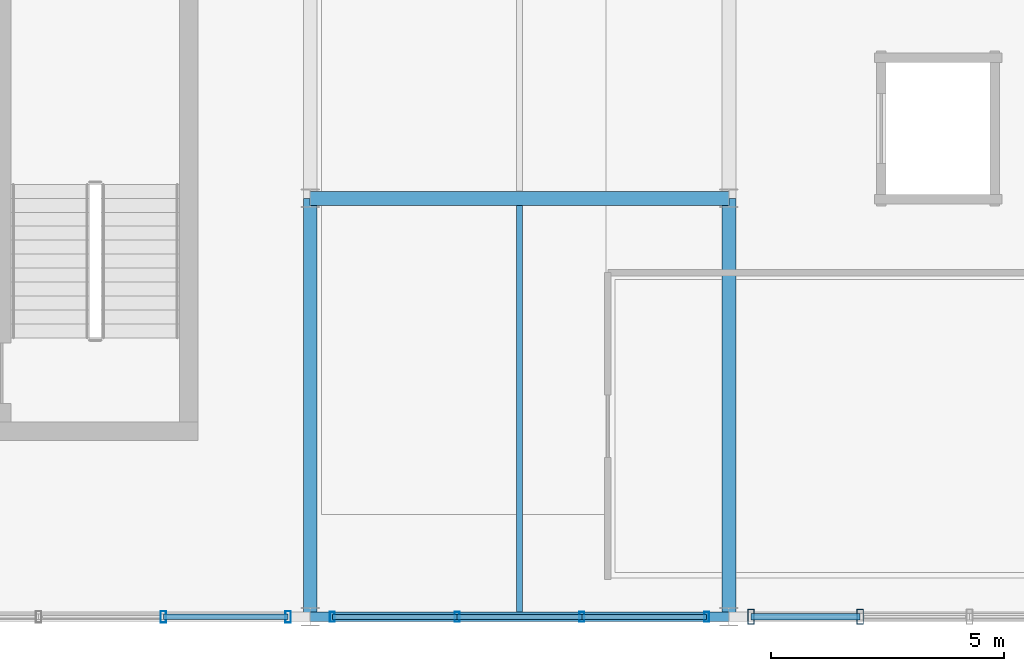
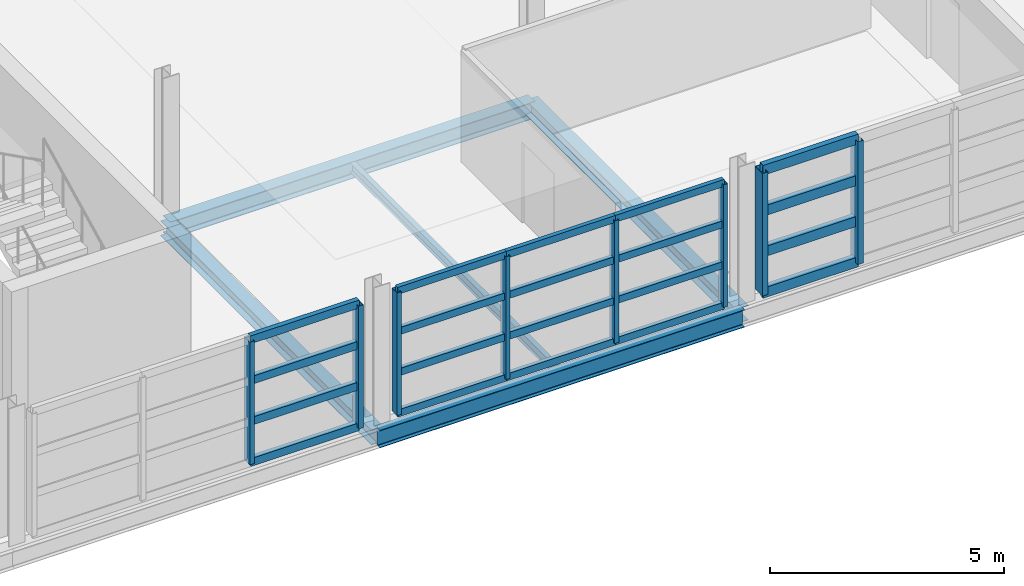
# One storey, part 62 of 116: 28 members, 5 beams, 3 elements without a shape of their own.
"""IFC4 building model written with IfcOpenShell, lengths in metres."""

from ifc_helpers import new_model, si_unit, direction, frame, origin, origin_2d, place, context, subcontext, project, spatial, hollow_rectangle, i_section, extrude, material, material_profile, profile_set, type_object, element, aggregate, save


model = new_model("IFC4")

# Units and contexts
model_context = context("Model", 3, precision=1e-05, world=origin(), true_north=direction((0.0, 1.0)))
body_context = subcontext(model_context, "Body", "Model", "MODEL_VIEW")
ifc_project = project(units=[si_unit("LENGTHUNIT", "METRE"), si_unit("AREAUNIT", "SQUARE_METRE"), si_unit("VOLUMEUNIT", "CUBIC_METRE"), si_unit("PLANEANGLEUNIT", "RADIAN"), si_unit("MASSUNIT", "GRAM", prefix="KILO")], contexts=[model_context])

# Site, building, storey
site_placement = place(None, origin())
site = spatial("IfcSite", under=ifc_project, at=site_placement, CompositionType="ELEMENT")
building_placement = place(site_placement, origin())
building = spatial("IfcBuilding", under=site, at=building_placement, Name="Chuanluo Vaults Station", CompositionType="ELEMENT")
storey_placement = place(building_placement, frame((0.0, 0.0, 10.800048828125)))
storey = spatial("IfcBuildingStorey", under=building, at=storey_placement, Name="L02", CompositionType="ELEMENT", Elevation=10.800048828125)

# Beams
ifc_material_1 = material(Name="Steel Q355C", Category="steel")
ifc_material_profile_1 = material_profile(ifc_material_1, i_section(OverallWidth=0.300048828125, OverallDepth=0.389892578125, WebThickness=0.010009765625, FlangeThickness=0.01611328125, FilletRadius=0.02001953125, at=origin_2d()))
ifc_profile_set_1 = profile_set([ifc_material_profile_1], Name="Steel Q355C")
beam_type_1 = type_object("IfcBeamType", Name="BM-GRD-400", PredefinedType="BEAM", material=ifc_profile_set_1)
for number, where, z_axis, x_axis, name in (
    (1, (163.0, 0.0, -0.43505859375), (0.0, 1.0, 0.0), (-1.0, 0.0, 0.0), "Floor girder BM:GY:L02:0663"),
    (2, (172.0, 0.0, -0.43505859375), (0.0, 1.0, 0.0), (-1.0, 0.0, 0.0), "Floor girder BM:GY:L02:0675"),
):
    element("IfcBeam", number, at=place(storey_placement, frame(where, z_axis=z_axis, x_axis=x_axis)), inside=storey, type_object=beam_type_1, Name=name, PredefinedType="BEAM", context=body_context, shape_type="SweptSolid", body=[
        extrude(i_section(OverallWidth=0.300048828125, OverallDepth=0.389892578125, WebThickness=0.010009765625, FlangeThickness=0.01611328125, FilletRadius=0.02001953125, at=origin_2d()), origin(), (0.0, 0.0, 1.0), 9.0),
    ])
ifc_material_2 = material(Name="Steel Q355C", Category="steel")
ifc_material_profile_2 = material_profile(ifc_material_2, i_section(OverallWidth=0.300048828125, OverallDepth=0.43994140625, WebThickness=0.010986328125, FlangeThickness=0.01806640625, FilletRadius=0.02001953125, at=origin_2d()))
ifc_profile_set_2 = profile_set([ifc_material_profile_2], Name="Steel Q355C")
beam_type_2 = type_object("IfcBeamType", Name="BM-GRD-450", PredefinedType="USERDEFINED", material=ifc_profile_set_2)
beam_1_placement = place(storey_placement, frame((163.0, 9.0, -0.4599609375), z_axis=(1.0, 0.0, 0.0), x_axis=(0.0, 1.0, 0.0)))
element("IfcBeam", 3, at=beam_1_placement, inside=storey, type_object=beam_type_2, Name="Floor girder BM:GX:L02:0543", ObjectType="GIRDER", PredefinedType="USERDEFINED", context=body_context, shape_type="SweptSolid", body=[
    extrude(i_section(OverallWidth=0.300048828125, OverallDepth=0.43994140625, WebThickness=0.010986328125, FlangeThickness=0.01806640625, FilletRadius=0.02001953125, at=origin_2d()), origin(), (0.0, 0.0, 1.0), 9.0),
])
ifc_material_3 = material(Name="Steel Q355C", Category="steel")
ifc_material_profile_3 = material_profile(ifc_material_3, i_section(OverallWidth=0.125, OverallDepth=0.25, WebThickness=0.006103515625, FlangeThickness=0.009033203125, FilletRadius=0.011962890625, at=origin_2d()))
ifc_profile_set_3 = profile_set([ifc_material_profile_3], Name="Steel Q355C")
beam_type_3 = type_object("IfcBeamType", Name="BM-SEC-250", PredefinedType="JOIST", material=ifc_profile_set_3)
beam_2_placement = place(storey_placement, frame((167.5, 0.107421875, -0.364990234375), z_axis=(0.0, 1.0, 0.0), x_axis=(-1.0, 0.0, 0.0)))
element("IfcBeam", 4, at=beam_2_placement, inside=storey, type_object=beam_type_3, Name="Composite secondary joist 0217", PredefinedType="JOIST", context=body_context, shape_type="SweptSolid", body=[
    extrude(i_section(OverallWidth=0.125, OverallDepth=0.25, WebThickness=0.006103515625, FlangeThickness=0.009033203125, FilletRadius=0.011962890625, at=origin_2d()), origin(), (0.0, 0.0, 1.0), 8.737548828125),
])
ifc_material_4 = material(Name="Steel Q355C", Category="steel")
ifc_material_profile_4 = material_profile(ifc_material_4, i_section(OverallWidth=0.205078125, OverallDepth=0.4599609375, WebThickness=0.009033203125, FlangeThickness=0.013916015625, FilletRadius=0.01611328125, at=origin_2d()))
ifc_profile_set_4 = profile_set([ifc_material_profile_4], Name="Steel Q355C")
beam_type_4 = type_object("IfcBeamType", Name="BM-SPN-450", PredefinedType="SPANDREL", material=ifc_profile_set_4)
beam_3_placement = place(storey_placement, frame((163.0, 0.0, -0.469970703125), z_axis=(1.0, 0.0, 0.0), x_axis=(0.0, 1.0, 0.0)))
element("IfcBeam", 5, at=beam_3_placement, inside=storey, type_object=beam_type_4, Name="Floor girder BM:GX:L02:0538", PredefinedType="SPANDREL", context=body_context, shape_type="SweptSolid", body=[
    extrude(i_section(OverallWidth=0.205078125, OverallDepth=0.4599609375, WebThickness=0.009033203125, FlangeThickness=0.013916015625, FilletRadius=0.01611328125, at=origin_2d()), origin(), (0.0, 0.0, 1.0), 9.0),
])

# Curtain wall, members
ifc_material_5 = material(Name="Anodised aluminium 6063-T6", Category="aluminium")
curtain_wall_type_1 = type_object("IfcCurtainWallType", Name="CW-SYS-28", PredefinedType="NOTDEFINED", material=ifc_material_5)
curtain_wall_1_placement = place(storey_placement, origin())
curtain_wall_1 = element("IfcCurtainWall", 6, at=curtain_wall_1_placement, inside=storey, type_object=curtain_wall_type_1, Name="Retail pavilion L02 facade CW", PredefinedType="NOTDEFINED")
ifc_material_6 = material(Name="Anodised aluminium 6063-T6", Category="aluminium")
ifc_material_profile_5 = material_profile(ifc_material_6, hollow_rectangle(XDim=0.10498046875, YDim=0.219970703125, WallThickness=0.006103515625, at=origin_2d()))
ifc_profile_set_5 = profile_set([ifc_material_profile_5], Name="Anodised aluminium 6063-T6")
member_type_1 = type_object("IfcMemberType", Name="CWM-140", PredefinedType="MULLION", material=ifc_profile_set_5)
member_1_placement = place(storey_placement, frame((171.52490234375, 0.0, 0.0), z_axis=(0.0, 0.0, 1.0), x_axis=(-1.0, 0.0, 0.0)))
member_1 = element("IfcMember", 7, at=member_1_placement, type_object=member_type_1, Name="Retail pavilion L02 facade CW mullion 1", PredefinedType="MULLION", context=body_context, shape_type="SweptSolid", body=[
    extrude(hollow_rectangle(XDim=0.10498046875, YDim=0.219970703125, WallThickness=0.006103515625, at=origin_2d()), origin(), (0.0, 0.0, 1.0), 3.199951171875),
])
member_2_placement = place(storey_placement, frame((168.841796875, 0.0, 0.0), z_axis=(0.0, 0.0, 1.0), x_axis=(-1.0, 0.0, 0.0)))
member_2 = element("IfcMember", 8, at=member_2_placement, type_object=member_type_1, Name="Retail pavilion L02 facade CW mullion 2", PredefinedType="MULLION", context=body_context, shape_type="SweptSolid", body=[
    extrude(hollow_rectangle(XDim=0.10498046875, YDim=0.219970703125, WallThickness=0.006103515625, at=origin_2d()), origin(), (0.0, 0.0, 1.0), 3.199951171875),
])
member_3_placement = place(storey_placement, frame((166.158203125, 0.0, 0.0), z_axis=(0.0, 0.0, 1.0), x_axis=(-1.0, 0.0, 0.0)))
member_3 = element("IfcMember", 9, at=member_3_placement, type_object=member_type_1, Name="Retail pavilion L02 facade CW mullion 3", PredefinedType="MULLION", context=body_context, shape_type="SweptSolid", body=[
    extrude(hollow_rectangle(XDim=0.10498046875, YDim=0.219970703125, WallThickness=0.006103515625, at=origin_2d()), origin(), (0.0, 0.0, 1.0), 3.199951171875),
])
member_4_placement = place(storey_placement, frame((163.47509765625, 0.0, 0.0), z_axis=(0.0, 0.0, 1.0), x_axis=(-1.0, 0.0, 0.0)))
member_4 = element("IfcMember", 10, at=member_4_placement, type_object=member_type_1, Name="Retail pavilion L02 facade CW mullion 4", PredefinedType="MULLION", context=body_context, shape_type="SweptSolid", body=[
    extrude(hollow_rectangle(XDim=0.10498046875, YDim=0.219970703125, WallThickness=0.006103515625, at=origin_2d()), origin(), (0.0, 0.0, 1.0), 3.199951171875),
])

ifc_material_7 = material(Name="Anodised aluminium 6063-T6", Category="aluminium")
curtain_wall_type_2 = type_object("IfcCurtainWallType", Name="CW-SYS-27", PredefinedType="NOTDEFINED", material=ifc_material_7)
curtain_wall_2_placement = place(storey_placement, origin())
curtain_wall_2 = element("IfcCurtainWall", 11, at=curtain_wall_2_placement, inside=storey, type_object=curtain_wall_type_2, Name="Retail pavilion L02 facade CW", PredefinedType="NOTDEFINED")
ifc_material_8 = material(Name="Anodised aluminium 6063-T6", Category="aluminium")
ifc_material_profile_6 = material_profile(ifc_material_8, hollow_rectangle(XDim=0.1201171875, YDim=0.25, WallThickness=0.006103515625, at=origin_2d()))
ifc_profile_set_6 = profile_set([ifc_material_profile_6], Name="Anodised aluminium 6063-T6")
member_type_2 = type_object("IfcMemberType", Name="CWM-160", PredefinedType="MULLION", material=ifc_profile_set_6)
member_5_placement = place(storey_placement, frame((162.52490234375, 0.0, 0.0), z_axis=(0.0, 0.0, 1.0), x_axis=(-1.0, 0.0, 0.0)))
member_5 = element("IfcMember", 12, at=member_5_placement, type_object=member_type_2, Name="Retail pavilion L02 facade CW mullion 1", PredefinedType="MULLION", context=body_context, shape_type="SweptSolid", body=[
    extrude(hollow_rectangle(XDim=0.1201171875, YDim=0.25, WallThickness=0.006103515625, at=origin_2d()), origin(), (0.0, 0.0, 1.0), 3.199951171875),
])
member_6_placement = place(storey_placement, frame((159.841796875, 0.0, 0.0), z_axis=(0.0, 0.0, 1.0), x_axis=(-1.0, 0.0, 0.0)))
member_6 = element("IfcMember", 13, at=member_6_placement, type_object=member_type_2, Name="Retail pavilion L02 facade CW mullion 2", PredefinedType="MULLION", context=body_context, shape_type="SweptSolid", body=[
    extrude(hollow_rectangle(XDim=0.1201171875, YDim=0.25, WallThickness=0.006103515625, at=origin_2d()), origin(), (0.0, 0.0, 1.0), 3.199951171875),
])

ifc_material_9 = material(Name="Anodised aluminium 6063-T6", Category="aluminium")
curtain_wall_type_3 = type_object("IfcCurtainWallType", Name="CW-SYS-01", PredefinedType="NOTDEFINED", material=ifc_material_9)
curtain_wall_3_placement = place(storey_placement, origin())
curtain_wall_3 = element("IfcCurtainWall", 14, at=curtain_wall_3_placement, inside=storey, type_object=curtain_wall_type_3, Name="Retail pavilion L02 facade CW", PredefinedType="NOTDEFINED")
ifc_material_10 = material(Name="Anodised aluminium 6063-T6", Category="aluminium")
ifc_material_profile_7 = material_profile(ifc_material_10, hollow_rectangle(XDim=0.139892578125, YDim=0.320068359375, WallThickness=0.008056640625, at=origin_2d()))
ifc_profile_set_7 = profile_set([ifc_material_profile_7], Name="Anodised aluminium 6063-T6")
member_type_3 = type_object("IfcMemberType", Name="CWM-220", PredefinedType="MULLION", material=ifc_profile_set_7)
member_7_placement = place(storey_placement, frame((174.824951171875, 0.0, 0.0), z_axis=(0.0, 0.0, 1.0), x_axis=(-1.0, 0.0, 0.0)))
member_7 = element("IfcMember", 15, at=member_7_placement, type_object=member_type_3, Name="Retail pavilion L02 facade CW mullion 3", PredefinedType="MULLION", context=body_context, shape_type="SweptSolid", body=[
    extrude(hollow_rectangle(XDim=0.139892578125, YDim=0.320068359375, WallThickness=0.008056640625, at=origin_2d()), origin(), (0.0, 0.0, 1.0), 3.199951171875),
])
member_8_placement = place(storey_placement, frame((172.47509765625, 0.0, 0.0), z_axis=(0.0, 0.0, 1.0), x_axis=(-1.0, 0.0, 0.0)))
member_8 = element("IfcMember", 16, at=member_8_placement, type_object=member_type_3, Name="Retail pavilion L02 facade CW mullion 4", PredefinedType="MULLION", context=body_context, shape_type="SweptSolid", body=[
    extrude(hollow_rectangle(XDim=0.139892578125, YDim=0.320068359375, WallThickness=0.008056640625, at=origin_2d()), origin(), (0.0, 0.0, 1.0), 3.199951171875),
])

# Member
ifc_material_11 = material(Name="Anodised aluminium 6063-T6", Category="aluminium")
ifc_material_profile_8 = material_profile(ifc_material_11, hollow_rectangle(XDim=0.10498046875, YDim=0.18505859375, WallThickness=0.0048828125, at=origin_2d()))
ifc_profile_set_8 = profile_set([ifc_material_profile_8], Name="Anodised aluminium 6063-T6")
member_type_4 = type_object("IfcMemberType", Name="CWT-110", PredefinedType="USERDEFINED", material=ifc_profile_set_8)
member_9_placement = place(storey_placement, frame((171.52490234375, 0.0, 0.0), z_axis=(-1.0, 0.0, 0.0), x_axis=(0.0, -1.0, 0.0)))
member_9 = element("IfcMember", 17, at=member_9_placement, type_object=member_type_4, Name="Retail pavilion L02 facade CW transom 1.1", ObjectType="TRANSOM", PredefinedType="USERDEFINED", context=body_context, shape_type="SweptSolid", body=[
    extrude(hollow_rectangle(XDim=0.10498046875, YDim=0.18505859375, WallThickness=0.0048828125, at=origin_2d()), origin(), (0.0, 0.0, 1.0), 2.68310546875),
])

member_10_placement = place(storey_placement, frame((171.52490234375, 0.0, 1.066650390625), z_axis=(-1.0, 0.0, 0.0), x_axis=(0.0, -1.0, 0.0)))
member_10 = element("IfcMember", 18, at=member_10_placement, type_object=member_type_4, Name="Retail pavilion L02 facade CW transom 1.2", ObjectType="TRANSOM", PredefinedType="USERDEFINED", context=body_context, shape_type="SweptSolid", body=[
    extrude(hollow_rectangle(XDim=0.10498046875, YDim=0.18505859375, WallThickness=0.0048828125, at=origin_2d()), origin(), (0.0, 0.0, 1.0), 2.68310546875),
])

member_11_placement = place(storey_placement, frame((171.52490234375, 0.0, 2.13330078125), z_axis=(-1.0, 0.0, 0.0), x_axis=(0.0, -1.0, 0.0)))
member_11 = element("IfcMember", 19, at=member_11_placement, type_object=member_type_4, Name="Retail pavilion L02 facade CW transom 1.3", ObjectType="TRANSOM", PredefinedType="USERDEFINED", context=body_context, shape_type="SweptSolid", body=[
    extrude(hollow_rectangle(XDim=0.10498046875, YDim=0.18505859375, WallThickness=0.0048828125, at=origin_2d()), origin(), (0.0, 0.0, 1.0), 2.68310546875),
])

member_12_placement = place(storey_placement, frame((171.52490234375, 0.0, 3.199951171875), z_axis=(-1.0, 0.0, 0.0), x_axis=(0.0, -1.0, 0.0)))
member_12 = element("IfcMember", 20, at=member_12_placement, type_object=member_type_4, Name="Retail pavilion L02 facade CW transom 1.4", ObjectType="TRANSOM", PredefinedType="USERDEFINED", context=body_context, shape_type="SweptSolid", body=[
    extrude(hollow_rectangle(XDim=0.10498046875, YDim=0.18505859375, WallThickness=0.0048828125, at=origin_2d()), origin(), (0.0, 0.0, 1.0), 2.68310546875),
])

member_13_placement = place(storey_placement, frame((168.841796875, 0.0, 0.0), z_axis=(-1.0, 0.0, 0.0), x_axis=(0.0, -1.0, 0.0)))
member_13 = element("IfcMember", 21, at=member_13_placement, type_object=member_type_4, Name="Retail pavilion L02 facade CW transom 2.1", ObjectType="TRANSOM", PredefinedType="USERDEFINED", context=body_context, shape_type="SweptSolid", body=[
    extrude(hollow_rectangle(XDim=0.10498046875, YDim=0.18505859375, WallThickness=0.0048828125, at=origin_2d()), origin(), (0.0, 0.0, 1.0), 2.68359375),
])

member_14_placement = place(storey_placement, frame((168.841796875, 0.0, 1.066650390625), z_axis=(-1.0, 0.0, 0.0), x_axis=(0.0, -1.0, 0.0)))
member_14 = element("IfcMember", 22, at=member_14_placement, type_object=member_type_4, Name="Retail pavilion L02 facade CW transom 2.2", ObjectType="TRANSOM", PredefinedType="USERDEFINED", context=body_context, shape_type="SweptSolid", body=[
    extrude(hollow_rectangle(XDim=0.10498046875, YDim=0.18505859375, WallThickness=0.0048828125, at=origin_2d()), origin(), (0.0, 0.0, 1.0), 2.68359375),
])

member_15_placement = place(storey_placement, frame((168.841796875, 0.0, 2.13330078125), z_axis=(-1.0, 0.0, 0.0), x_axis=(0.0, -1.0, 0.0)))
member_15 = element("IfcMember", 23, at=member_15_placement, type_object=member_type_4, Name="Retail pavilion L02 facade CW transom 2.3", ObjectType="TRANSOM", PredefinedType="USERDEFINED", context=body_context, shape_type="SweptSolid", body=[
    extrude(hollow_rectangle(XDim=0.10498046875, YDim=0.18505859375, WallThickness=0.0048828125, at=origin_2d()), origin(), (0.0, 0.0, 1.0), 2.68359375),
])

member_16_placement = place(storey_placement, frame((168.841796875, 0.0, 3.199951171875), z_axis=(-1.0, 0.0, 0.0), x_axis=(0.0, -1.0, 0.0)))
member_16 = element("IfcMember", 24, at=member_16_placement, type_object=member_type_4, Name="Retail pavilion L02 facade CW transom 2.4", ObjectType="TRANSOM", PredefinedType="USERDEFINED", context=body_context, shape_type="SweptSolid", body=[
    extrude(hollow_rectangle(XDim=0.10498046875, YDim=0.18505859375, WallThickness=0.0048828125, at=origin_2d()), origin(), (0.0, 0.0, 1.0), 2.68359375),
])

member_17_placement = place(storey_placement, frame((166.158203125, 0.0, 0.0), z_axis=(-1.0, 0.0, 0.0), x_axis=(0.0, -1.0, 0.0)))
member_17 = element("IfcMember", 25, at=member_17_placement, type_object=member_type_4, Name="Retail pavilion L02 facade CW transom 3.1", ObjectType="TRANSOM", PredefinedType="USERDEFINED", context=body_context, shape_type="SweptSolid", body=[
    extrude(hollow_rectangle(XDim=0.10498046875, YDim=0.18505859375, WallThickness=0.0048828125, at=origin_2d()), origin(), (0.0, 0.0, 1.0), 2.68310546875),
])

member_18_placement = place(storey_placement, frame((166.158203125, 0.0, 1.066650390625), z_axis=(-1.0, 0.0, 0.0), x_axis=(0.0, -1.0, 0.0)))
member_18 = element("IfcMember", 26, at=member_18_placement, type_object=member_type_4, Name="Retail pavilion L02 facade CW transom 3.2", ObjectType="TRANSOM", PredefinedType="USERDEFINED", context=body_context, shape_type="SweptSolid", body=[
    extrude(hollow_rectangle(XDim=0.10498046875, YDim=0.18505859375, WallThickness=0.0048828125, at=origin_2d()), origin(), (0.0, 0.0, 1.0), 2.68310546875),
])

member_19_placement = place(storey_placement, frame((166.158203125, 0.0, 2.13330078125), z_axis=(-1.0, 0.0, 0.0), x_axis=(0.0, -1.0, 0.0)))
member_19 = element("IfcMember", 27, at=member_19_placement, type_object=member_type_4, Name="Retail pavilion L02 facade CW transom 3.3", ObjectType="TRANSOM", PredefinedType="USERDEFINED", context=body_context, shape_type="SweptSolid", body=[
    extrude(hollow_rectangle(XDim=0.10498046875, YDim=0.18505859375, WallThickness=0.0048828125, at=origin_2d()), origin(), (0.0, 0.0, 1.0), 2.68310546875),
])

member_20_placement = place(storey_placement, frame((166.158203125, 0.0, 3.199951171875), z_axis=(-1.0, 0.0, 0.0), x_axis=(0.0, -1.0, 0.0)))
member_20 = element("IfcMember", 28, at=member_20_placement, type_object=member_type_4, Name="Retail pavilion L02 facade CW transom 3.4", ObjectType="TRANSOM", PredefinedType="USERDEFINED", context=body_context, shape_type="SweptSolid", body=[
    extrude(hollow_rectangle(XDim=0.10498046875, YDim=0.18505859375, WallThickness=0.0048828125, at=origin_2d()), origin(), (0.0, 0.0, 1.0), 2.68310546875),
])

aggregate(curtain_wall_1, [member_1, member_2, member_3, member_4, member_9, member_10, member_11, member_12, member_13, member_14, member_15, member_16, member_17, member_18, member_19, member_20])

ifc_material_12 = material(Name="Anodised aluminium 6063-T6", Category="aluminium")
ifc_material_profile_9 = material_profile(ifc_material_12, hollow_rectangle(XDim=0.1201171875, YDim=0.205078125, WallThickness=0.006103515625, at=origin_2d()))
ifc_profile_set_9 = profile_set([ifc_material_profile_9], Name="Anodised aluminium 6063-T6")
member_type_5 = type_object("IfcMemberType", Name="CWT-130", PredefinedType="USERDEFINED", material=ifc_profile_set_9)
member_21_placement = place(storey_placement, frame((162.52490234375, 0.0, 0.0), z_axis=(-1.0, 0.0, 0.0), x_axis=(0.0, -1.0, 0.0)))
member_21 = element("IfcMember", 29, at=member_21_placement, type_object=member_type_5, Name="Retail pavilion L02 facade CW transom 1.1", ObjectType="TRANSOM", PredefinedType="USERDEFINED", context=body_context, shape_type="SweptSolid", body=[
    extrude(hollow_rectangle(XDim=0.1201171875, YDim=0.205078125, WallThickness=0.006103515625, at=origin_2d()), origin(), (0.0, 0.0, 1.0), 2.68310546875),
])

member_22_placement = place(storey_placement, frame((162.52490234375, 0.0, 1.066650390625), z_axis=(-1.0, 0.0, 0.0), x_axis=(0.0, -1.0, 0.0)))
member_22 = element("IfcMember", 30, at=member_22_placement, type_object=member_type_5, Name="Retail pavilion L02 facade CW transom 1.2", ObjectType="TRANSOM", PredefinedType="USERDEFINED", context=body_context, shape_type="SweptSolid", body=[
    extrude(hollow_rectangle(XDim=0.1201171875, YDim=0.205078125, WallThickness=0.006103515625, at=origin_2d()), origin(), (0.0, 0.0, 1.0), 2.68310546875),
])

member_23_placement = place(storey_placement, frame((162.52490234375, 0.0, 2.13330078125), z_axis=(-1.0, 0.0, 0.0), x_axis=(0.0, -1.0, 0.0)))
member_23 = element("IfcMember", 31, at=member_23_placement, type_object=member_type_5, Name="Retail pavilion L02 facade CW transom 1.3", ObjectType="TRANSOM", PredefinedType="USERDEFINED", context=body_context, shape_type="SweptSolid", body=[
    extrude(hollow_rectangle(XDim=0.1201171875, YDim=0.205078125, WallThickness=0.006103515625, at=origin_2d()), origin(), (0.0, 0.0, 1.0), 2.68310546875),
])

member_24_placement = place(storey_placement, frame((162.52490234375, 0.0, 3.199951171875), z_axis=(-1.0, 0.0, 0.0), x_axis=(0.0, -1.0, 0.0)))
member_24 = element("IfcMember", 32, at=member_24_placement, type_object=member_type_5, Name="Retail pavilion L02 facade CW transom 1.4", ObjectType="TRANSOM", PredefinedType="USERDEFINED", context=body_context, shape_type="SweptSolid", body=[
    extrude(hollow_rectangle(XDim=0.1201171875, YDim=0.205078125, WallThickness=0.006103515625, at=origin_2d()), origin(), (0.0, 0.0, 1.0), 2.68310546875),
])

aggregate(curtain_wall_2, [member_5, member_6, member_21, member_22, member_23, member_24])

ifc_material_13 = material(Name="Anodised aluminium 6063-T6", Category="aluminium")
ifc_material_profile_10 = material_profile(ifc_material_13, hollow_rectangle(XDim=0.139892578125, YDim=0.260009765625, WallThickness=0.007080078125, at=origin_2d()))
ifc_profile_set_10 = profile_set([ifc_material_profile_10], Name="Anodised aluminium 6063-T6")
member_type_6 = type_object("IfcMemberType", Name="CWT-180", PredefinedType="USERDEFINED", material=ifc_profile_set_10)
member_25_placement = place(storey_placement, frame((174.824951171875, 0.0, 0.0), z_axis=(-1.0, 0.0, 0.0), x_axis=(0.0, -1.0, 0.0)))
member_25 = element("IfcMember", 33, at=member_25_placement, type_object=member_type_6, Name="Retail pavilion L02 facade CW transom 3.1", ObjectType="TRANSOM", PredefinedType="USERDEFINED", context=body_context, shape_type="SweptSolid", body=[
    extrude(hollow_rectangle(XDim=0.139892578125, YDim=0.260009765625, WallThickness=0.007080078125, at=origin_2d()), origin(), (0.0, 0.0, 1.0), 2.349853515625),
])

member_26_placement = place(storey_placement, frame((174.824951171875, 0.0, 1.066650390625), z_axis=(-1.0, 0.0, 0.0), x_axis=(0.0, -1.0, 0.0)))
member_26 = element("IfcMember", 34, at=member_26_placement, type_object=member_type_6, Name="Retail pavilion L02 facade CW transom 3.2", ObjectType="TRANSOM", PredefinedType="USERDEFINED", context=body_context, shape_type="SweptSolid", body=[
    extrude(hollow_rectangle(XDim=0.139892578125, YDim=0.260009765625, WallThickness=0.007080078125, at=origin_2d()), origin(), (0.0, 0.0, 1.0), 2.349853515625),
])

member_27_placement = place(storey_placement, frame((174.824951171875, 0.0, 2.13330078125), z_axis=(-1.0, 0.0, 0.0), x_axis=(0.0, -1.0, 0.0)))
member_27 = element("IfcMember", 35, at=member_27_placement, type_object=member_type_6, Name="Retail pavilion L02 facade CW transom 3.3", ObjectType="TRANSOM", PredefinedType="USERDEFINED", context=body_context, shape_type="SweptSolid", body=[
    extrude(hollow_rectangle(XDim=0.139892578125, YDim=0.260009765625, WallThickness=0.007080078125, at=origin_2d()), origin(), (0.0, 0.0, 1.0), 2.349853515625),
])

member_28_placement = place(storey_placement, frame((174.824951171875, 0.0, 3.199951171875), z_axis=(-1.0, 0.0, 0.0), x_axis=(0.0, -1.0, 0.0)))
member_28 = element("IfcMember", 36, at=member_28_placement, type_object=member_type_6, Name="Retail pavilion L02 facade CW transom 3.4", ObjectType="TRANSOM", PredefinedType="USERDEFINED", context=body_context, shape_type="SweptSolid", body=[
    extrude(hollow_rectangle(XDim=0.139892578125, YDim=0.260009765625, WallThickness=0.007080078125, at=origin_2d()), origin(), (0.0, 0.0, 1.0), 2.349853515625),
])

aggregate(curtain_wall_3, [member_7, member_8, member_25, member_26, member_27, member_28])

save(model, "model.ifc")
